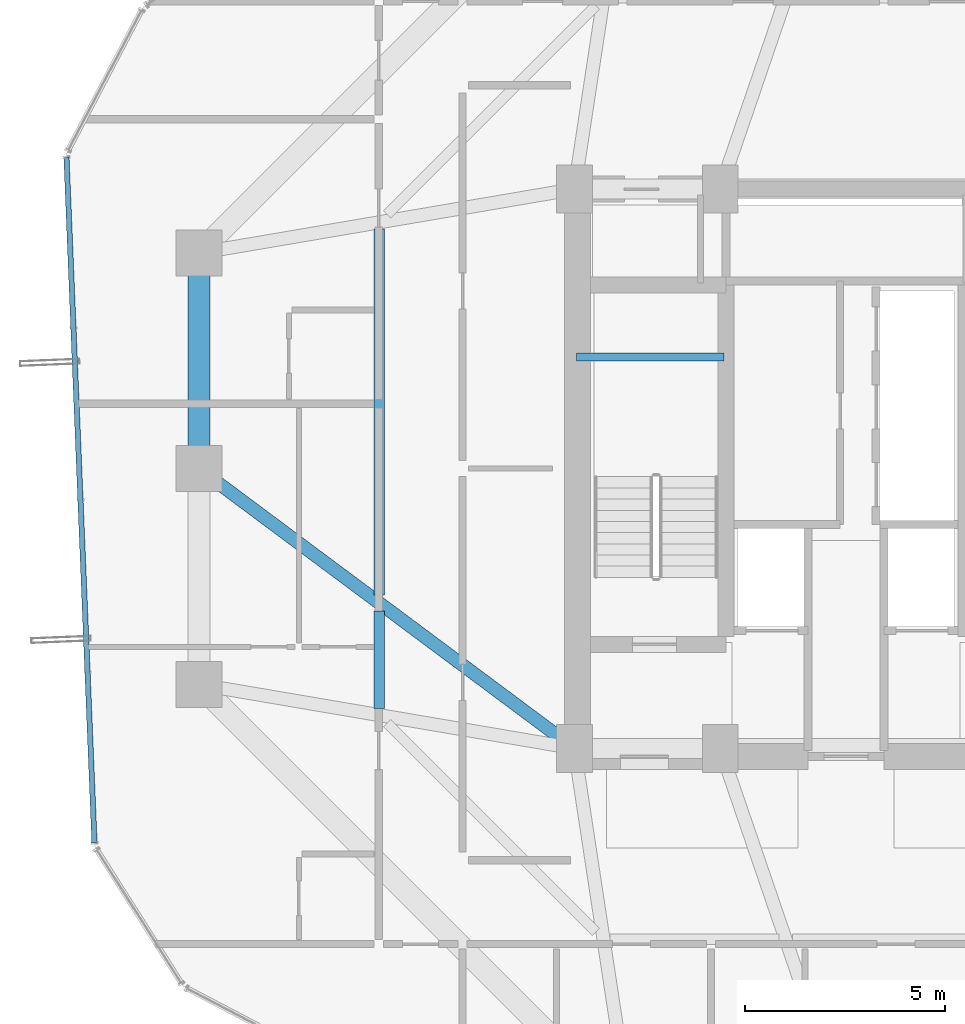
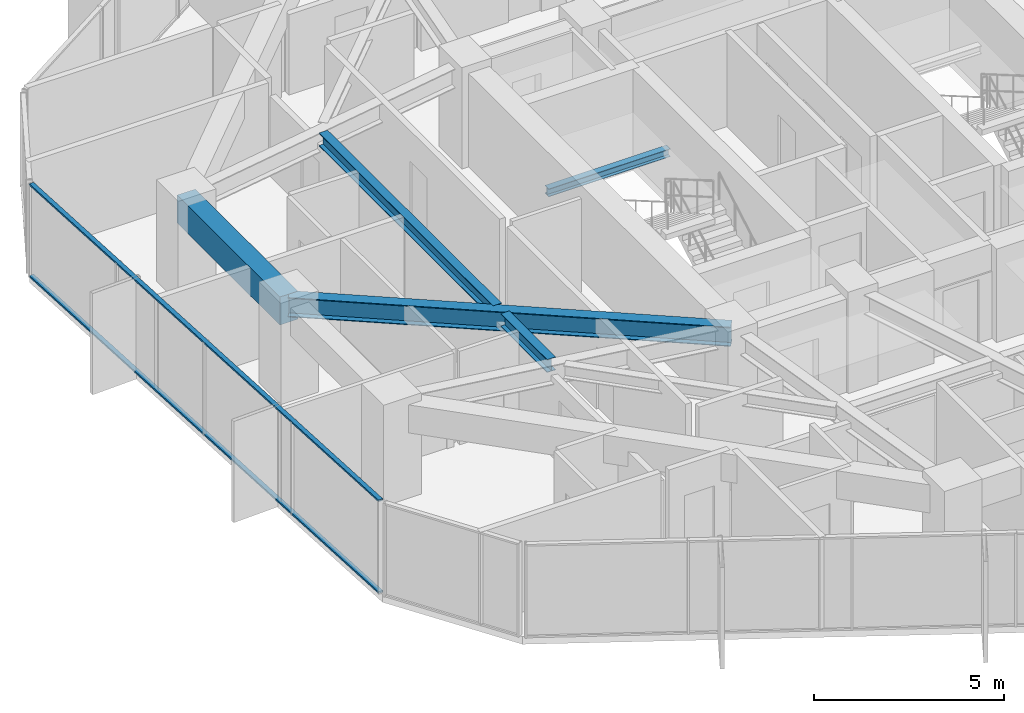
# One storey, part 10 of 32: 5 beams, 2 members, 1 element without a shape of its own.
"""IFC4 building model written with IfcOpenShell, lengths in metres."""

from ifc_helpers import new_model, si_unit, direction, frame, origin, origin_2d, place, context, subcontext, project, spatial, rectangle, hollow_rectangle, i_section, extrude, source, transform, mapped, material, layer, layer_set, material_profile, profile_set, type_object, element, aggregate, save


model = new_model("IFC4")

# Units and contexts
model_context = context("Model", 3, precision=1e-05, world=origin(), true_north=direction((0.0, 1.0)))
body_context = subcontext(model_context, "Body", "Model", "MODEL_VIEW")
ifc_project = project(units=[si_unit("LENGTHUNIT", "METRE"), si_unit("AREAUNIT", "SQUARE_METRE"), si_unit("VOLUMEUNIT", "CUBIC_METRE"), si_unit("PLANEANGLEUNIT", "RADIAN"), si_unit("MASSUNIT", "GRAM", prefix="KILO")], contexts=[model_context])

# Site, building, storey
site_placement = place(None, origin())
site = spatial("IfcSite", under=ifc_project, at=site_placement, CompositionType="ELEMENT")
building_placement = place(site_placement, origin())
building = spatial("IfcBuilding", under=site, at=building_placement, Name="Veraguas Prism Commons", CompositionType="ELEMENT")
storey_placement = place(building_placement, frame((0.0, 0.0, 136.0)))
storey = spatial("IfcBuildingStorey", under=building, at=storey_placement, Name="L38", CompositionType="ELEMENT", Elevation=136.0)

# Beams
ifc_material_1 = material(Name="Steel ASTM A992 Grade 50", Category="steel")
ifc_material_profile_1 = material_profile(ifc_material_1, i_section(OverallWidth=0.260986328125, OverallDepth=0.419921875, WebThickness=0.01171875, FlangeThickness=0.019287109375, at=origin_2d()), Name="W410X114")
ifc_profile_set_1 = profile_set([ifc_material_profile_1], Name="Steel ASTM A992 Grade 50")
beam_type_1 = type_object("IfcBeamType", Name="Lower Floor Joist W410x114", PredefinedType="JOIST", material=ifc_profile_set_1)
beam_1_placement = place(storey_placement, frame((12.31201171875, 30.003662109375, 2.7900390625), z_axis=(0.0, -1.0, 0.0), x_axis=(1.0, 0.0, 0.0)))
element("IfcBeam", 1, at=beam_1_placement, inside=storey, type_object=beam_type_1, Name="Composite Floor Joist L38-JS07", PredefinedType="JOIST", context=body_context, shape_type="SweptSolid", body=[
    extrude(i_section(OverallWidth=0.260986328125, OverallDepth=0.419921875, WebThickness=0.01171875, FlangeThickness=0.019287109375, at=origin_2d()), origin(), (0.0, 0.0, 1.0), 9.16162109375),
])
beam_2_placement = place(storey_placement, frame((12.31201171875, 20.43798828125, 2.7900390625), z_axis=(0.0, -1.0, 0.0), x_axis=(1.0, 0.0, 0.0)))
element("IfcBeam", 2, at=beam_2_placement, inside=storey, type_object=beam_type_1, Name="Composite Floor Joist L38-JS08", PredefinedType="JOIST", context=body_context, shape_type="SweptSolid", body=[
    extrude(i_section(OverallWidth=0.260986328125, OverallDepth=0.419921875, WebThickness=0.01171875, FlangeThickness=0.019287109375, at=origin_2d()), origin(), (0.0, 0.0, 1.0), 2.441650390625),
])
ifc_material_2 = material(Name="Concrete C50/60", Category="concrete")
ifc_material_profile_2 = material_profile(ifc_material_2, rectangle(XDim=0.550048828125, YDim=0.89990234375, at=origin_2d()), Name="RC550X900")
ifc_profile_set_2 = profile_set([ifc_material_profile_2], Name="Concrete C50/60")
beam_type_2 = type_object("IfcBeamType", Name="Perimeter Spandrel Lower RC 550x900", PredefinedType="SPANDREL", material=ifc_profile_set_2)
beam_3_placement = place(storey_placement, frame((7.800048828125, 29.39990234375, 2.550048828125), z_axis=(0.0, -1.0, 0.0), x_axis=(1.0, 0.0, 0.0)))
element("IfcBeam", 3, at=beam_3_placement, inside=storey, type_object=beam_type_2, Name="Perimeter Spandrel Beam L38-SP07", PredefinedType="SPANDREL", context=body_context, shape_type="SweptSolid", body=[
    extrude(rectangle(XDim=0.550048828125, YDim=0.89990234375, at=origin_2d()), origin(), (0.0, 0.0, 1.0), 5.39990234375),
])
ifc_material_profile_3 = material_profile(ifc_material_1, i_section(OverallWidth=0.202880859375, OverallDepth=0.251953125, WebThickness=0.008056640625, FlangeThickness=0.013427734375, at=origin_2d()), Name="W250X58")
ifc_profile_set_3 = profile_set([ifc_material_profile_3], Name="Steel ASTM A992 Grade 50")
beam_type_3 = type_object("IfcBeamType", Name="Structural Opening Lintel W250x58", PredefinedType="LINTEL", material=ifc_profile_set_3)
beam_4_placement = place(storey_placement, frame((17.25, 26.800048828125, 1.299072265625), z_axis=(1.0, 0.0, 0.0), x_axis=(0.0, 1.0, 0.0)))
element("IfcBeam", 4, at=beam_4_placement, inside=storey, type_object=beam_type_3, Name="Stair ST-01 Half-Landing Support Beam L38-1", PredefinedType="LINTEL", context=body_context, shape_type="SweptSolid", body=[
    extrude(i_section(OverallWidth=0.202880859375, OverallDepth=0.251953125, WebThickness=0.008056640625, FlangeThickness=0.013427734375, at=origin_2d()), origin(), (0.0, 0.0, 1.0), 3.699951171875),
])
ifc_material_profile_4 = material_profile(ifc_material_1, i_section(OverallWidth=0.327880859375, OverallDepth=0.6220703125, WebThickness=0.015380859375, FlangeThickness=0.0244140625, at=origin_2d()), Name="W610X195")
ifc_profile_set_4 = profile_set([ifc_material_profile_4], Name="Steel ASTM A992 Grade 50")
beam_type_4 = type_object("IfcBeamType", Name="Zone 2 Radial Girder W610x195", PredefinedType="BEAM", material=ifc_profile_set_4)
beam_5_placement = place(storey_placement, frame((7.800048828125, 24.0, 2.68896484375), z_axis=(0.802040137921, -0.597270137512, 0.0), x_axis=(0.597270137512, 0.802040137921, 0.0)))
element("IfcBeam", 5, at=beam_5_placement, inside=storey, type_object=beam_type_4, Name="Radial Floor Girder L38-RD08", PredefinedType="BEAM", context=body_context, shape_type="SweptSolid", body=[
    extrude(i_section(OverallWidth=0.327880859375, OverallDepth=0.6220703125, WebThickness=0.015380859375, FlangeThickness=0.0244140625, at=origin_2d()), origin(), (0.0, 0.0, 1.0), 11.719970703125),
])

# Curtain wall, members
ifc_material_3 = material(Name="Anodised aluminium EN AW-6063 T6", Category="aluminium")
ifc_layer = layer(ifc_material_3, 0.169921875, Name="Unitised Flush Curtain Wall Zone 2", Category="aluminium")
ifc_layer_set = layer_set([ifc_layer], Name="Anodised aluminium EN AW-6063 T6")
curtain_wall_type = type_object("IfcCurtainWallType", Name="Unitised Flush Curtain Wall Zone 2", PredefinedType="NOTDEFINED", material=ifc_layer_set)
curtain_wall_placement = place(storey_placement, origin())
curtain_wall = element("IfcCurtainWall", 6, at=curtain_wall_placement, inside=storey, type_object=curtain_wall_type, Name="Tower Facade Curtain Wall L38-F3", PredefinedType="NOTDEFINED")
ifc_material_profile_5 = material_profile(ifc_material_3, hollow_rectangle(XDim=0.054931640625, YDim=0.135009765625, WallThickness=0.0029296875, at=origin_2d()), Name="AL55X135X3")
ifc_profile_set_5 = profile_set([ifc_material_profile_5], Name="Anodised aluminium EN AW-6063 T6")
member_type = type_object("IfcMemberType", Name="Curtain Wall Transom Standard AL 55x135x3", PredefinedType="USERDEFINED", material=ifc_profile_set_5)
shared_shape = source(origin(), body_context, "Body", "SweptSolid", [
    extrude(hollow_rectangle(XDim=0.054931640625, YDim=0.135009765625, WallThickness=0.0029296875, at=origin_2d()), origin(), (0.0, 0.0, 1.0), 17.174560546875),
])
member_1_placement = place(storey_placement, frame((4.48291015625, 31.796875, 0.027587890625), z_axis=(0.040826392629, -0.999166255267, 0.0), x_axis=(0.0, 0.0, 1.0)))
member_1 = element("IfcMember", 7, at=member_1_placement, type_object=member_type, Name="CW-Z2 Transom 1", ObjectType="TRANSOM", PredefinedType="USERDEFINED", context=body_context, shape_type="MappedRepresentation", body=[
    mapped(shared_shape, transform((0.0, 0.0, 0.0), scale=1.0)),
])
member_2_placement = place(storey_placement, frame((4.48291015625, 31.796875, 2.972412109375), z_axis=(0.040826392629, -0.999166255267, 0.0), x_axis=(0.0, 0.0, 1.0)))
member_2 = element("IfcMember", 8, at=member_2_placement, type_object=member_type, Name="CW-Z2 Transom 2", ObjectType="TRANSOM", PredefinedType="USERDEFINED", context=body_context, shape_type="MappedRepresentation", body=[
    mapped(shared_shape, transform((0.0, 0.0, 0.0), scale=1.0)),
])
aggregate(curtain_wall, [member_1, member_2])

save(model, "model.ifc")
